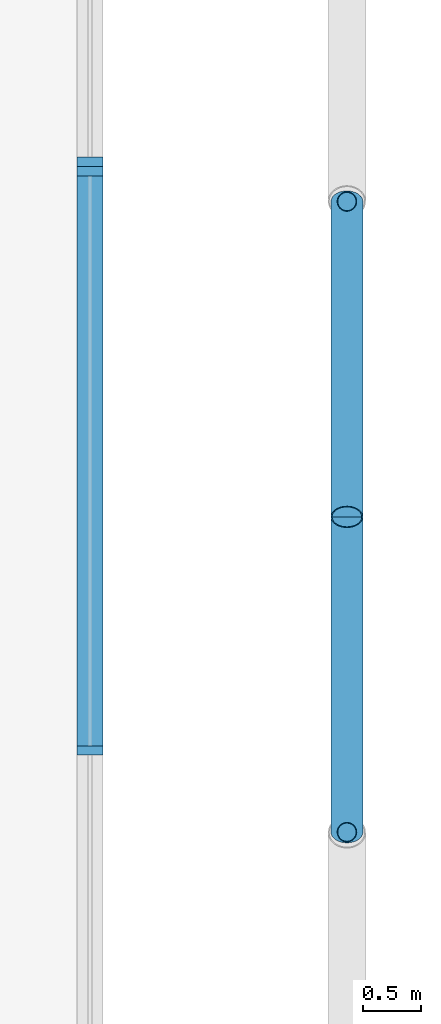
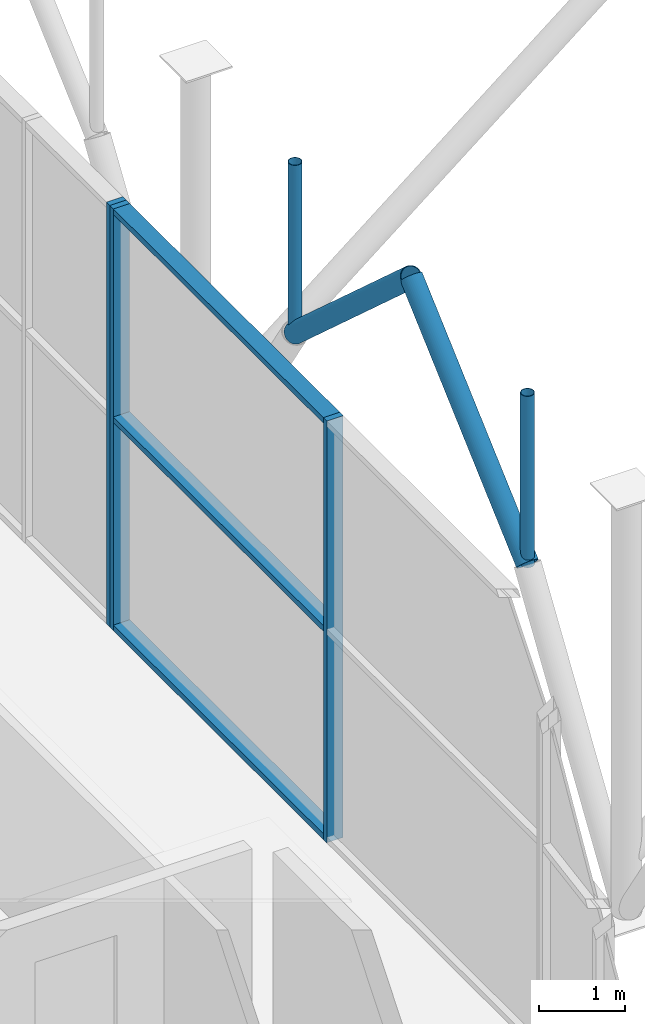
# One storey, part 70 of 109: 10 members, 2 elements without a shape of their own.
"""IFC4 building model written with IfcOpenShell, lengths in metres."""

from ifc_helpers import new_model, si_unit, derived_unit, direction, frame, origin, origin_2d_with_axis, place, context, subcontext, project, spatial, rectangle, hollow_circle, extrude, material, material_profile, profile_set, type_object, element, aggregate, save


model = new_model("IFC4")

# Units and contexts
model_context = context("Model", 3, precision=1e-05, world=origin(), true_north=direction((0.0, 1.0)))
body_context = subcontext(model_context, "Body", "Model", "MODEL_VIEW")
ifc_project = project(units=[si_unit("LENGTHUNIT", "METRE"), si_unit("AREAUNIT", "SQUARE_METRE"), si_unit("VOLUMEUNIT", "CUBIC_METRE"), si_unit("PLANEANGLEUNIT", "RADIAN"), si_unit("MASSUNIT", "GRAM", prefix="KILO"), derived_unit("THERMALTRANSMITTANCEUNIT", [(si_unit("POWERUNIT", "WATT"), 1), (si_unit("LENGTHUNIT", "METRE"), -2), (si_unit("THERMODYNAMICTEMPERATUREUNIT", "KELVIN"), -1)])], contexts=[model_context])

# Site, building, storey
site_placement = place(None, origin())
site = spatial("IfcSite", under=ifc_project, at=site_placement, CompositionType="ELEMENT")
building_placement = place(site_placement, origin())
building = spatial("IfcBuilding", under=site, at=building_placement, Name="Cinnabar Yard Market Hall", CompositionType="ELEMENT")
storey_placement = place(building_placement, frame((0.0, 0.0, 8.39990234375)))
storey = spatial("IfcBuildingStorey", under=building, at=storey_placement, Name="L02", CompositionType="ELEMENT", Elevation=8.39990234375)

# Curtain wall, members
ifc_material_1 = material(Name="Anodised bronze aluminium and low-E glass", Category="aluminium")
curtain_wall_type_1 = type_object("IfcCurtainWallType", Name="CW-CWH100x60", PredefinedType="NOTDEFINED", material=ifc_material_1)
curtain_wall_1_placement = place(storey_placement, origin())
curtain_wall_1 = element("IfcCurtainWall", 1, at=curtain_wall_1_placement, inside=storey, type_object=curtain_wall_type_1, Name="Market Hall East Upper Clerestory W1", PredefinedType="NOTDEFINED")
ifc_material_2 = material(Name="Anodised bronze aluminium", Category="aluminium")
ifc_material_profile_1 = material_profile(ifc_material_2, rectangle(XDim=0.219970703125, YDim=0.080078125, at=origin_2d_with_axis()), Name="MUL-CWH")
ifc_profile_set_1 = profile_set([ifc_material_profile_1], Name="Anodised bronze aluminium")
member_type_1 = type_object("IfcMemberType", Name="CWM-CWH", PredefinedType="MULLION", material=ifc_profile_set_1)
member_1_placement = place(storey_placement, frame((163.800048828125, 37.0, 0.0), z_axis=(0.0, 0.0, 1.0), x_axis=(-1.0, 0.0, 0.0)))
member_1 = element("IfcMember", 2, at=member_1_placement, type_object=member_type_1, Name="CWH100x60 mullion 2", PredefinedType="MULLION", context=body_context, shape_type="SweptSolid", body=[
    extrude(rectangle(XDim=0.219970703125, YDim=0.080078125, at=origin_2d_with_axis()), origin(), (0.0, 0.0, 1.0), 5.97998046875),
])
member_2_placement = place(storey_placement, frame((163.800048828125, 41.9599609375, 0.0), z_axis=(0.0, 0.0, 1.0), x_axis=(-1.0, 0.0, 0.0)))
member_2 = element("IfcMember", 3, at=member_2_placement, type_object=member_type_1, Name="CWH100x60 mullion 3", PredefinedType="MULLION", context=body_context, shape_type="SweptSolid", body=[
    extrude(rectangle(XDim=0.219970703125, YDim=0.080078125, at=origin_2d_with_axis()), origin(), (0.0, 0.0, 1.0), 5.97998046875),
])

# Curtain wall, member
curtain_wall_type_2 = type_object("IfcCurtainWallType", Name="CW-CWH040x60", PredefinedType="NOTDEFINED", material=ifc_material_1)
curtain_wall_2_placement = place(storey_placement, origin())
curtain_wall_2 = element("IfcCurtainWall", 4, at=curtain_wall_2_placement, inside=storey, type_object=curtain_wall_type_2, Name="Market Hall East Upper Clerestory WPT", PredefinedType="NOTDEFINED")
member_3_placement = place(storey_placement, frame((163.800048828125, 42.0400390625, 0.0), z_axis=(0.0, 0.0, 1.0), x_axis=(-1.0, 0.0, 0.0)))
member_3 = element("IfcMember", 5, at=member_3_placement, type_object=member_type_1, Name="CWH040x60 mullion 1", PredefinedType="MULLION", context=body_context, shape_type="SweptSolid", body=[
    extrude(rectangle(XDim=0.219970703125, YDim=0.080078125, at=origin_2d_with_axis()), origin(), (0.0, 0.0, 1.0), 5.97998046875),
])
aggregate(curtain_wall_2, [member_3])

# Member
ifc_material_profile_2 = material_profile(ifc_material_2, rectangle(XDim=0.219970703125, YDim=0.080078125, at=origin_2d_with_axis()), Name="TRN-CWH")
ifc_profile_set_2 = profile_set([ifc_material_profile_2], Name="Anodised bronze aluminium")
member_type_2 = type_object("IfcMemberType", Name="CWT-CWH", PredefinedType="USERDEFINED", material=ifc_profile_set_2)
member_4_placement = place(storey_placement, frame((163.800048828125, 37.0400390625, 0.0400390625), z_axis=(0.0, 1.0, 0.0), x_axis=(-1.0, 0.0, 0.0)))
member_4 = element("IfcMember", 6, at=member_4_placement, type_object=member_type_2, Name="CWH100x60 transom 2.1", ObjectType="TRANSOM", PredefinedType="USERDEFINED", context=body_context, shape_type="SweptSolid", body=[
    extrude(rectangle(XDim=0.219970703125, YDim=0.080078125, at=origin_2d_with_axis()), origin(), (0.0, 0.0, 1.0), 4.8798828125),
])

member_5_placement = place(storey_placement, frame((163.800048828125, 37.0400390625, 2.989990234375), z_axis=(0.0, 1.0, 0.0), x_axis=(-1.0, 0.0, 0.0)))
member_5 = element("IfcMember", 7, at=member_5_placement, type_object=member_type_2, Name="CWH100x60 transom 2.2", ObjectType="TRANSOM", PredefinedType="USERDEFINED", context=body_context, shape_type="SweptSolid", body=[
    extrude(rectangle(XDim=0.219970703125, YDim=0.080078125, at=origin_2d_with_axis()), origin(), (0.0, 0.0, 1.0), 4.8798828125),
])

member_6_placement = place(storey_placement, frame((163.800048828125, 37.0400390625, 5.940185546875), z_axis=(0.0, 1.0, 0.0), x_axis=(-1.0, 0.0, 0.0)))
member_6 = element("IfcMember", 8, at=member_6_placement, type_object=member_type_2, Name="CWH100x60 transom 2.3", ObjectType="TRANSOM", PredefinedType="USERDEFINED", context=body_context, shape_type="SweptSolid", body=[
    extrude(rectangle(XDim=0.219970703125, YDim=0.080078125, at=origin_2d_with_axis()), origin(), (0.0, 0.0, 1.0), 4.8798828125),
])

aggregate(curtain_wall_1, [member_1, member_2, member_4, member_5, member_6])

# Members
ifc_material_3 = material(Name="Spotted-gum glulam-clad steel Grade 350 (350 MPa)", Category="steel")
ifc_material_profile_3 = material_profile(ifc_material_3, hollow_circle(Radius=0.136474609375, WallThickness=0.00927734375, at=origin_2d_with_axis()), Name="273.1x9.3CHS")
ifc_profile_set_3 = profile_set([ifc_material_profile_3], Name="Spotted-gum glulam-clad steel Grade 350 (350 MPa)")
member_type_3 = type_object("IfcMemberType", Name="MB-AR01E", PredefinedType="USERDEFINED", material=ifc_profile_set_3)
for number, where, z_axis, x_axis, name in (
    (9, (166.0, 36.300048828125, 3.550048828125), (0.0, 0.743297488271, 0.668961018244), (-1.0, 0.0, 0.0), "Pointed Arch Rib 0170"),
    (10, (166.0, 41.699951171875, 3.550048828125), (0.0, -0.743297488271, 0.668961018244), (1.0, 0.0, 0.0), "Pointed Arch Rib 0174"),
):
    element("IfcMember", number, at=place(storey_placement, frame(where, z_axis=z_axis, x_axis=x_axis)), inside=storey, type_object=member_type_3, Name=name, ObjectType="ARCH RIB", PredefinedType="USERDEFINED", context=body_context, shape_type="SweptSolid", body=[
        extrude(hollow_circle(Radius=0.136474609375, WallThickness=0.00927734375, at=origin_2d_with_axis()), origin(), (0.0, 0.0, 1.0), 3.63232421875),
    ])
ifc_material_4 = material(Name="Cold-formed steel C350L0", Category="steel")
ifc_material_profile_4 = material_profile(ifc_material_4, hollow_circle(Radius=0.084228515625, WallThickness=0.00634765625, at=origin_2d_with_axis()), Name="168.3x6.4CHS")
ifc_profile_set_4 = profile_set([ifc_material_profile_4], Name="Cold-formed steel C350L0")
member_type_4 = type_object("IfcMemberType", Name="MB-WB01E", PredefinedType="STRUT", material=ifc_profile_set_4)
for number, where, z_axis, x_axis, name in (
    (11, (166.0, 36.300048828125, 3.550048828125), (0.0, 0.0, 1.0), (1.0, 0.0, 0.0), "Arch Spandrel Post 0170"),
    (12, (166.0, 41.699951171875, 3.550048828125), (0.0, 0.0, 1.0), (1.0, 0.0, 0.0), "Arch Spandrel Post 0174"),
):
    element("IfcMember", number, at=place(storey_placement, frame(where, z_axis=z_axis, x_axis=x_axis)), inside=storey, type_object=member_type_4, Name=name, PredefinedType="STRUT", context=body_context, shape_type="SweptSolid", body=[
        extrude(hollow_circle(Radius=0.084228515625, WallThickness=0.00634765625, at=origin_2d_with_axis()), origin(), (0.0, 0.0, 1.0), 2.429931640625),
    ])

save(model, "model.ifc")
